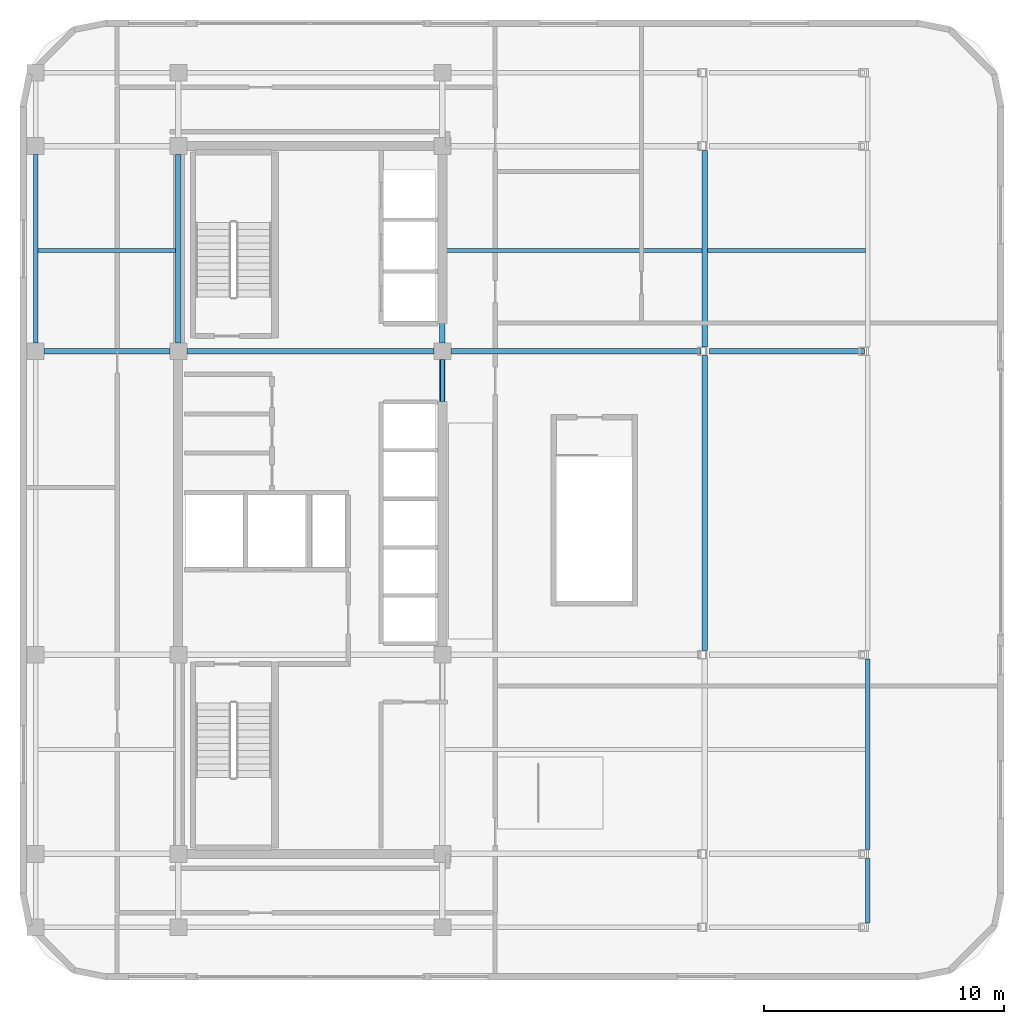
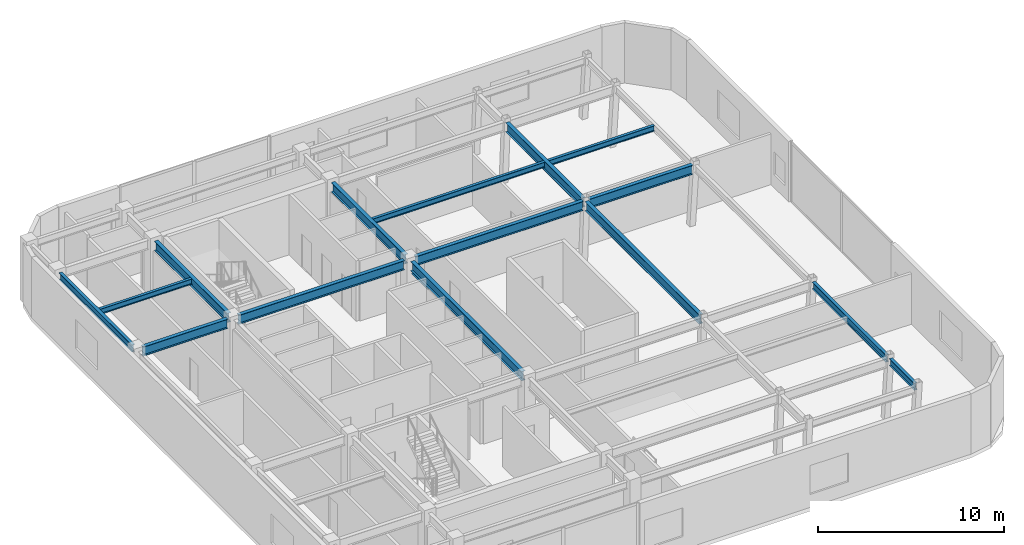
# One storey, part 3 of 10: 16 beams.
"""IFC4 building model written with IfcOpenShell, lengths in metres."""

import ifcopenshell
import ifcopenshell.guid

model = None  # the IFC model being written
_history = None  # IfcOwnerHistory: only IFC2X3 demands one
_inside = {}  # id of a spatial element -> (the spatial element, [elements in it])
_under = {}  # id of a project, library or spatial element -> (it, [spatial elements below it])
_declared = {}  # id of a project -> (the project, [libraries it declares])
_typed = {}  # id of a type object -> (the type object, [elements of that type])
_made_of = {}  # id of a material, layer set ... -> (it, [elements and type objects made of it])


def new_model(schema):
    """Start an empty IFC model of exactly this schema.

    Asked for "IFC4X3", IfcOpenShell would pick the latest addendum, in which some entities
    have other attributes; the version numbers below select the first issue.
    IFC2X3 requires an IfcOwnerHistory on every rooted entity: one is made here for all.
    """
    global model, _history
    if schema == "IFC4X3":
        model = ifcopenshell.file(schema_version=(4, 3, 0, 0))
    else:
        model = ifcopenshell.file(schema=schema)
    _inside.clear()
    _under.clear()
    _declared.clear()
    _typed.clear()
    _made_of.clear()
    _history = None
    if model.schema == "IFC2X3":
        org = make("IfcOrganization", Name="unknown")
        user = make(
            "IfcPersonAndOrganization",
            ThePerson=make("IfcPerson", FamilyName="unknown"),
            TheOrganization=org,
        )
        app = make(
            "IfcApplication",
            ApplicationDeveloper=org,
            Version="unknown",
            ApplicationFullName="unknown",
            ApplicationIdentifier="unknown",
        )
        _history = make(
            "IfcOwnerHistory",
            OwningUser=user,
            OwningApplication=app,
            ChangeAction="ADDED",
            CreationDate=0,
        )
    return model


def make(cls, **values):
    """One entity of the class cls with the attributes given. An attribute that is None is left unset."""
    return model.create_entity(
        cls, **{name: value for name, value in values.items() if value is not None}
    )


def rooted(cls, **values):
    """An entity with a GlobalId (a new one), such as an element, a storey or a relation."""
    return make(cls, GlobalId=ifcopenshell.guid.new(), OwnerHistory=_history, **values)


def si_unit(unit_type, name, prefix=None):
    """IfcSIUnit, for example si_unit("LENGTHUNIT", "METRE", prefix="MILLI")."""
    return make("IfcSIUnit", UnitType=unit_type, Prefix=prefix, Name=name)


def assignment(units):
    """IfcUnitAssignment: the units of a project."""
    return None if units is None else make("IfcUnitAssignment", Units=units)


def point(xyz):
    """IfcCartesianPoint."""
    return None if xyz is None else make("IfcCartesianPoint", Coordinates=xyz)


def direction(xyz):
    """IfcDirection."""
    return None if xyz is None else make("IfcDirection", DirectionRatios=xyz)


def frame(location, z_axis=None, x_axis=None):
    """IfcAxis2Placement3D, a coordinate frame: its origin and axes. An axis left out is left unset."""
    return make(
        "IfcAxis2Placement3D",
        Location=point(location),
        Axis=direction(z_axis),
        RefDirection=direction(x_axis),
    )


def frame_2d(location, x_axis=None):
    """IfcAxis2Placement2D, a coordinate frame in the plane: its origin and x axis."""
    return make(
        "IfcAxis2Placement2D", Location=point(location), RefDirection=direction(x_axis)
    )


def origin():
    """The frame at (0, 0, 0) with its axes left unset."""
    return frame((0.0, 0.0, 0.0))


def origin_2d():
    """The frame at (0, 0) in the plane with its x axis left unset."""
    return frame_2d((0.0, 0.0))


def place(relative_to, where):
    """IfcLocalPlacement: puts the frame where relative to a parent placement (None: the world)."""
    return make(
        "IfcLocalPlacement", PlacementRelTo=relative_to, RelativePlacement=where
    )


def context(
    kind, dimensions, precision=None, world=None, true_north=None, identifier=None
):
    """IfcGeometricRepresentationContext, for example the 3D "Model" context."""
    return make(
        "IfcGeometricRepresentationContext",
        ContextIdentifier=identifier,
        ContextType=kind,
        CoordinateSpaceDimension=dimensions,
        Precision=precision,
        WorldCoordinateSystem=world,
        TrueNorth=true_north,
    )


def subcontext(parent, identifier, kind, view, scale=None):
    """IfcGeometricRepresentationSubContext, for example "Body" below "Model"."""
    return make(
        "IfcGeometricRepresentationSubContext",
        ContextIdentifier=identifier,
        ContextType=kind,
        ParentContext=parent,
        TargetScale=scale,
        TargetView=view,
    )


def project(units=None, contexts=None):
    """IfcProject with its units and contexts."""
    return rooted(
        "IfcProject",
        Name="project",
        RepresentationContexts=contexts,
        UnitsInContext=assignment(units),
    )


def spatial(cls, under=None, at=None, **own):
    """A site, building, storey or space (cls), placed at a placement, below another one or the project."""
    s = rooted(cls, ObjectPlacement=at, **own)
    if under is not None:
        _under.setdefault(under.id(), (under, []))[1].append(s)
    return s


def profile(cls, at=None, kind="AREA", **sizes):
    """A parametric profile (cls). Its sizes go by their IFC names, for example OverallWidth=200.0."""
    return make(cls, ProfileType=kind, Position=at, **sizes)


def i_section(**sizes):
    """IfcIShapeProfileDef."""
    return profile("IfcIShapeProfileDef", **sizes)


def extrude(swept, where, along, depth):
    """IfcExtrudedAreaSolid: the profile swept, set in the frame where, extruded along a direction by depth."""
    return make(
        "IfcExtrudedAreaSolid",
        SweptArea=swept,
        Position=where,
        ExtrudedDirection=direction(along),
        Depth=depth,
    )


def shape(context_of_items, identifier, shape_type, items):
    """IfcShapeRepresentation: the items that make up one representation, for example the "Body"."""
    return make(
        "IfcShapeRepresentation",
        ContextOfItems=context_of_items,
        RepresentationIdentifier=identifier,
        RepresentationType=shape_type,
        Items=items,
    )


def material(Name=None, Category=None):
    """IfcMaterial."""
    return make("IfcMaterial", Name=Name, Category=Category)


def material_profile(
    of_material, cross_section, Name=None, Category=None, Priority=None
):
    """IfcMaterialProfile: a cross section and its material."""
    return make(
        "IfcMaterialProfile",
        Name=Name,
        Material=of_material,
        Profile=cross_section,
        Priority=Priority,
        Category=Category,
    )


def profile_set(profiles, Name=None, composite=None):
    """IfcMaterialProfileSet."""
    return make(
        "IfcMaterialProfileSet",
        Name=Name,
        MaterialProfiles=profiles,
        CompositeProfile=composite,
    )


def made_of(thing, what):
    """Note that an element or type object is made of a material, layer set ...; save() writes the relation."""
    if what is not None:
        _made_of.setdefault(what.id(), (what, []))[1].append(thing)
    return thing


def type_object(cls, material=None, **own):
    """A type object (cls), such as IfcWallType, which elements share."""
    return made_of(rooted(cls, **own), material)


def element(
    cls,
    number,
    at=None,
    inside=None,
    cuts=None,
    type_object=None,
    material=None,
    context=None,
    identifier="Body",
    shape_type=None,
    held_by="IfcProductDefinitionShape",
    body=None,
    shapes=None,
    **own,
):
    """One element of the class cls, such as IfcWall. Its Tag is "e" and its number.

    at: its placement. inside: the storey or other place that contains it. cuts: it is an
    opening in that element (IfcRelVoidsElement). A single representation is given by context,
    identifier, shape_type and body (its items); several are given by shapes. held_by: the class
    of the entity that holds the representations. save() writes the other relations.
    """
    e = rooted(cls, Tag="e%d" % number, ObjectPlacement=at, **own)
    if body is not None:
        shapes = [shape(context, identifier, shape_type, body)]
    if shapes is not None:
        e.Representation = make(held_by, Representations=shapes)
    if inside is not None:
        _inside.setdefault(inside.id(), (inside, []))[1].append(e)
    if cuts is not None:
        rooted(
            "IfcRelVoidsElement", RelatingBuildingElement=cuts, RelatedOpeningElement=e
        )
    if type_object is not None:
        _typed.setdefault(type_object.id(), (type_object, []))[1].append(e)
    return made_of(e, material)


def aggregate(whole, parts):
    """IfcRelAggregates: a whole, such as a stair, and the parts it consists of."""
    return rooted("IfcRelAggregates", RelatingObject=whole, RelatedObjects=parts)


def save(model, path):
    """Write the relations noted so far, then the file.

    IfcRelAggregates (storeys below a building ...), IfcRelContainedInSpatialStructure (elements
    in a storey), IfcRelDefinesByType, IfcRelAssociatesMaterial and IfcRelDeclares: one each for
    every whole, place, type object, material and project.
    """
    for whole, parts in _under.values():
        aggregate(whole, parts)
    for where, things in _inside.values():
        rooted(
            "IfcRelContainedInSpatialStructure",
            RelatedElements=things,
            RelatingStructure=where,
        )
    for kind, things in _typed.values():
        rooted("IfcRelDefinesByType", RelatedObjects=things, RelatingType=kind)
    for what, things in _made_of.values():
        rooted("IfcRelAssociatesMaterial", RelatedObjects=things, RelatingMaterial=what)
    for by, libraries in _declared.values():
        rooted("IfcRelDeclares", RelatingContext=by, RelatedDefinitions=libraries)
    model.write(path)


model = new_model("IFC4")

# Units and contexts
model_context = context("Model", 3, precision=1e-05, world=origin(), true_north=direction((0.0, 1.0)))
body_context = subcontext(model_context, "Body", "Model", "MODEL_VIEW")
ifc_project = project(units=[si_unit("LENGTHUNIT", "METRE"), si_unit("AREAUNIT", "SQUARE_METRE"), si_unit("VOLUMEUNIT", "CUBIC_METRE"), si_unit("PLANEANGLEUNIT", "RADIAN"), si_unit("MASSUNIT", "GRAM", prefix="KILO")], contexts=[model_context])

# Site, building, storey
site_placement = place(None, origin())
site = spatial("IfcSite", under=ifc_project, at=site_placement, CompositionType="ELEMENT")
building_placement = place(site_placement, origin())
building = spatial("IfcBuilding", under=site, at=building_placement, Name="Ochreholt Gables", CompositionType="ELEMENT")
storey_placement = place(building_placement, frame((0.0, 0.0, 173.39990234375)))
storey = spatial("IfcBuildingStorey", under=building, at=storey_placement, Name="L45", CompositionType="ELEMENT", Elevation=173.39990234375)

# Beams
ifc_material = material(Name="Steel CSA G40.21 350W", Category="steel")
ifc_material_profile_1 = material_profile(ifc_material, i_section(OverallWidth=0.22900390625, OverallDepth=0.612060546875, WebThickness=0.011962890625, FlangeThickness=0.01953125, at=origin_2d()), Name="W610X125")
ifc_profile_set_1 = profile_set([ifc_material_profile_1], Name="Steel CSA G40.21 350W")
beam_type_1 = type_object("IfcBeamType", Name="BM-G-W610B", PredefinedType="BEAM", material=ifc_profile_set_1)
beam_1_placement = place(storey_placement, frame((18.599609375, 30.199951171875, 3.654052734375), z_axis=(1.0, 0.0, 0.0), x_axis=(0.0, 1.0, 0.0)))
element("IfcBeam", 1, at=beam_1_placement, inside=storey, type_object=beam_type_1, Name="L45 Beam TBG-L45-W3C1-Y4", PredefinedType="BEAM", context=body_context, shape_type="SweptSolid", body=[
    extrude(i_section(OverallWidth=0.22900390625, OverallDepth=0.612060546875, WebThickness=0.011962890625, FlangeThickness=0.01953125, at=origin_2d()), origin(), (0.0, 0.0, 1.0), 5.250732421875),
])
beam_2_placement = place(storey_placement, frame((24.549560546875, 30.199951171875, 3.654052734375), z_axis=(1.0, 0.0, 0.0), x_axis=(0.0, 1.0, 0.0)))
element("IfcBeam", 2, at=beam_2_placement, inside=storey, type_object=beam_type_1, Name="L45 Beam TBG-L45-C1C2-Y4", PredefinedType="BEAM", context=body_context, shape_type="SweptSolid", body=[
    extrude(i_section(OverallWidth=0.22900390625, OverallDepth=0.612060546875, WebThickness=0.011962890625, FlangeThickness=0.01953125, at=origin_2d()), origin(), (0.0, 0.0, 1.0), 10.30078125),
])
beam_3_placement = place(storey_placement, frame((35.549560546875, 30.199951171875, 3.654052734375), z_axis=(1.0, 0.0, 0.0), x_axis=(0.0, 1.0, 0.0)))
element("IfcBeam", 3, at=beam_3_placement, inside=storey, type_object=beam_type_1, Name="L45 Beam TBG-L45-C2EM-Y4", PredefinedType="BEAM", context=body_context, shape_type="SweptSolid", body=[
    extrude(i_section(OverallWidth=0.22900390625, OverallDepth=0.612060546875, WebThickness=0.011962890625, FlangeThickness=0.01953125, at=origin_2d()), origin(), (0.0, 0.0, 1.0), 10.4248046875),
])
beam_4_placement = place(storey_placement, frame((46.32958984375, 30.199951171875, 3.654052734375), z_axis=(1.0, 0.0, 0.0), x_axis=(0.0, 1.0, 0.0)))
element("IfcBeam", 4, at=beam_4_placement, inside=storey, type_object=beam_type_1, Name="L45 Beam TBG-L45-EMEE-Y4", PredefinedType="BEAM", context=body_context, shape_type="SweptSolid", body=[
    extrude(i_section(OverallWidth=0.22900390625, OverallDepth=0.612060546875, WebThickness=0.011962890625, FlangeThickness=0.01953125, at=origin_2d()), origin(), (0.0, 0.0, 1.0), 6.450439453125),
])
beam_5_placement = place(storey_placement, frame((24.199951171875, 30.549560546875, 3.654052734375), z_axis=(0.0, 1.0, 0.0), x_axis=(-1.0, 0.0, 0.0)))
element("IfcBeam", 5, at=beam_5_placement, inside=storey, type_object=beam_type_1, Name="L45 Beam TBN-L45-C1-Y4Y5", PredefinedType="BEAM", context=body_context, shape_type="SweptSolid", body=[
    extrude(i_section(OverallWidth=0.22900390625, OverallDepth=0.612060546875, WebThickness=0.011962890625, FlangeThickness=0.01953125, at=origin_2d()), origin(), (0.0, 0.0, 1.0), 7.850830078125),
])
beam_6_placement = place(storey_placement, frame((35.199951171875, 17.899658203125, 3.654052734375), z_axis=(0.0, 1.0, 0.0), x_axis=(-1.0, 0.0, 0.0)))
element("IfcBeam", 6, at=beam_6_placement, inside=storey, type_object=beam_type_1, Name="L45 Beam TBN-L45-C2-Y3Y4", PredefinedType="BEAM", context=body_context, shape_type="SweptSolid", body=[
    extrude(i_section(OverallWidth=0.22900390625, OverallDepth=0.612060546875, WebThickness=0.011962890625, FlangeThickness=0.01953125, at=origin_2d()), origin(), (0.0, 0.0, 1.0), 11.95068359375),
])
beam_7_placement = place(storey_placement, frame((35.199951171875, 30.549560546875, 3.654052734375), z_axis=(0.0, 1.0, 0.0), x_axis=(-1.0, 0.0, 0.0)))
element("IfcBeam", 7, at=beam_7_placement, inside=storey, type_object=beam_type_1, Name="L45 Beam TBN-L45-C2-Y4Y5", PredefinedType="BEAM", context=body_context, shape_type="SweptSolid", body=[
    extrude(i_section(OverallWidth=0.22900390625, OverallDepth=0.612060546875, WebThickness=0.011962890625, FlangeThickness=0.01953125, at=origin_2d()), origin(), (0.0, 0.0, 1.0), 7.850830078125),
])
beam_8_placement = place(storey_placement, frame((46.135009765625, 17.7275390625, 3.654052734375), z_axis=(0.0, 1.0, 0.0), x_axis=(-1.0, 0.0, 0.0)))
element("IfcBeam", 8, at=beam_8_placement, inside=storey, type_object=beam_type_1, Name="L45 Beam TBN-L45-EM-Y3Y4", PredefinedType="BEAM", context=body_context, shape_type="SweptSolid", body=[
    extrude(i_section(OverallWidth=0.22900390625, OverallDepth=0.612060546875, WebThickness=0.011962890625, FlangeThickness=0.01953125, at=origin_2d()), origin(), (0.0, 0.0, 1.0), 12.294921875),
])
beam_9_placement = place(storey_placement, frame((46.135009765625, 30.377685546875, 3.654052734375), z_axis=(0.0, 1.0, 0.0), x_axis=(-1.0, 0.0, 0.0)))
element("IfcBeam", 9, at=beam_9_placement, inside=storey, type_object=beam_type_1, Name="L45 Beam TBN-L45-EM-Y4Y5", PredefinedType="BEAM", context=body_context, shape_type="SweptSolid", body=[
    extrude(i_section(OverallWidth=0.22900390625, OverallDepth=0.612060546875, WebThickness=0.011962890625, FlangeThickness=0.01953125, at=origin_2d()), origin(), (0.0, 0.0, 1.0), 8.19482421875),
])
ifc_material_profile_2 = material_profile(ifc_material, i_section(OverallWidth=0.172119140625, OverallDepth=0.35791015625, WebThickness=0.0078125, FlangeThickness=0.01318359375, at=origin_2d()), Name="W360X57")
ifc_profile_set_2 = profile_set([ifc_material_profile_2], Name="Steel CSA G40.21 350W")
beam_type_2 = type_object("IfcBeamType", Name="BM-J-W360B", PredefinedType="JOIST", material=ifc_profile_set_2)
beam_10_placement = place(storey_placement, frame((18.345703125, 34.39990234375, 3.781005859375), z_axis=(1.0, 0.0, 0.0), x_axis=(0.0, 1.0, 0.0)))
element("IfcBeam", 10, at=beam_10_placement, inside=storey, type_object=beam_type_2, Name="L45 Beam TBJ-L45-J2-W3C1", PredefinedType="JOIST", context=body_context, shape_type="SweptSolid", body=[
    extrude(i_section(OverallWidth=0.172119140625, OverallDepth=0.35791015625, WebThickness=0.0078125, FlangeThickness=0.01318359375, at=origin_2d()), origin(), (0.0, 0.0, 1.0), 5.740234375),
])
beam_11_placement = place(storey_placement, frame((35.314208984375, 34.39990234375, 3.781005859375), z_axis=(1.0, 0.0, 0.0), x_axis=(0.0, 1.0, 0.0)))
element("IfcBeam", 11, at=beam_11_placement, inside=storey, type_object=beam_type_2, Name="L45 Beam TBJ-L45-J2-C2EM", PredefinedType="JOIST", context=body_context, shape_type="SweptSolid", body=[
    extrude(i_section(OverallWidth=0.172119140625, OverallDepth=0.35791015625, WebThickness=0.0078125, FlangeThickness=0.01318359375, at=origin_2d()), origin(), (0.0, 0.0, 1.0), 10.70654296875),
])
beam_12_placement = place(storey_placement, frame((46.2490234375, 34.39990234375, 3.781005859375), z_axis=(1.0, 0.0, 0.0), x_axis=(0.0, 1.0, 0.0)))
element("IfcBeam", 12, at=beam_12_placement, inside=storey, type_object=beam_type_2, Name="L45 Beam TBJ-L45-J2-EMEE", PredefinedType="JOIST", context=body_context, shape_type="SweptSolid", body=[
    extrude(i_section(OverallWidth=0.172119140625, OverallDepth=0.35791015625, WebThickness=0.0078125, FlangeThickness=0.01318359375, at=origin_2d()), origin(), (0.0, 0.0, 1.0), 6.58447265625),
])
ifc_material_profile_3 = material_profile(ifc_material, i_section(OverallWidth=0.1650390625, OverallDepth=0.200927734375, WebThickness=0.006103515625, FlangeThickness=0.01025390625, at=origin_2d()), Name="W200X36")
ifc_profile_set_3 = profile_set([ifc_material_profile_3], Name="Steel CSA G40.21 350W")
beam_type_3 = type_object("IfcBeamType", Name="BM-LIN-W200", PredefinedType="LINTEL", material=ifc_profile_set_3)
beam_13_placement = place(storey_placement, frame((35.2099609375, 28.10009765625, 3.24755859375), z_axis=(0.0, 1.0, 0.0), x_axis=(-1.0, 0.0, 0.0)))
element("IfcBeam", 13, at=beam_13_placement, inside=storey, type_object=beam_type_3, Name="L45 Core Coupling Lintel CPN", PredefinedType="LINTEL", context=body_context, shape_type="SweptSolid", body=[
    extrude(i_section(OverallWidth=0.1650390625, OverallDepth=0.200927734375, WebThickness=0.006103515625, FlangeThickness=0.01025390625, at=origin_2d()), origin(), (0.0, 0.0, 1.0), 1.75),
])
ifc_material_profile_4 = material_profile(ifc_material, i_section(OverallWidth=0.19189453125, OverallDepth=0.462890625, WebThickness=0.010498046875, FlangeThickness=0.017578125, at=origin_2d()), Name="W460X89")
ifc_profile_set_4 = profile_set([ifc_material_profile_4], Name="Steel CSA G40.21 350W")
beam_type_4 = type_object("IfcBeamType", Name="BM-SP-W460A", PredefinedType="SPANDREL", material=ifc_profile_set_4)
beam_14_placement = place(storey_placement, frame((18.25, 30.549560546875, 3.728515625), z_axis=(0.0, 1.0, 0.0), x_axis=(-1.0, 0.0, 0.0)))
element("IfcBeam", 14, at=beam_14_placement, inside=storey, type_object=beam_type_4, Name="L45 Beam TBN-L45-W3-Y4Y5", PredefinedType="SPANDREL", context=body_context, shape_type="SweptSolid", body=[
    extrude(i_section(OverallWidth=0.19189453125, OverallDepth=0.462890625, WebThickness=0.010498046875, FlangeThickness=0.017578125, at=origin_2d()), origin(), (0.0, 0.0, 1.0), 7.850830078125),
])
beam_15_placement = place(storey_placement, frame((52.92919921875, 6.377685546875, 3.728515625), z_axis=(0.0, 1.0, 0.0), x_axis=(-1.0, 0.0, 0.0)))
element("IfcBeam", 15, at=beam_15_placement, inside=storey, type_object=beam_type_4, Name="L45 Beam TBN-L45-EE-Y1Y2", PredefinedType="SPANDREL", context=body_context, shape_type="SweptSolid", body=[
    extrude(i_section(OverallWidth=0.19189453125, OverallDepth=0.462890625, WebThickness=0.010498046875, FlangeThickness=0.017578125, at=origin_2d()), origin(), (0.0, 0.0, 1.0), 2.69482421875),
])
beam_16_placement = place(storey_placement, frame((52.92919921875, 9.427490234375, 3.728515625), z_axis=(0.0, 1.0, 0.0), x_axis=(-1.0, 0.0, 0.0)))
element("IfcBeam", 16, at=beam_16_placement, inside=storey, type_object=beam_type_4, Name="L45 Beam TBN-L45-EE-Y2Y3", PredefinedType="SPANDREL", context=body_context, shape_type="SweptSolid", body=[
    extrude(i_section(OverallWidth=0.19189453125, OverallDepth=0.462890625, WebThickness=0.010498046875, FlangeThickness=0.017578125, at=origin_2d()), origin(), (0.0, 0.0, 1.0), 7.94482421875),
])

save(model, "model.ifc")
